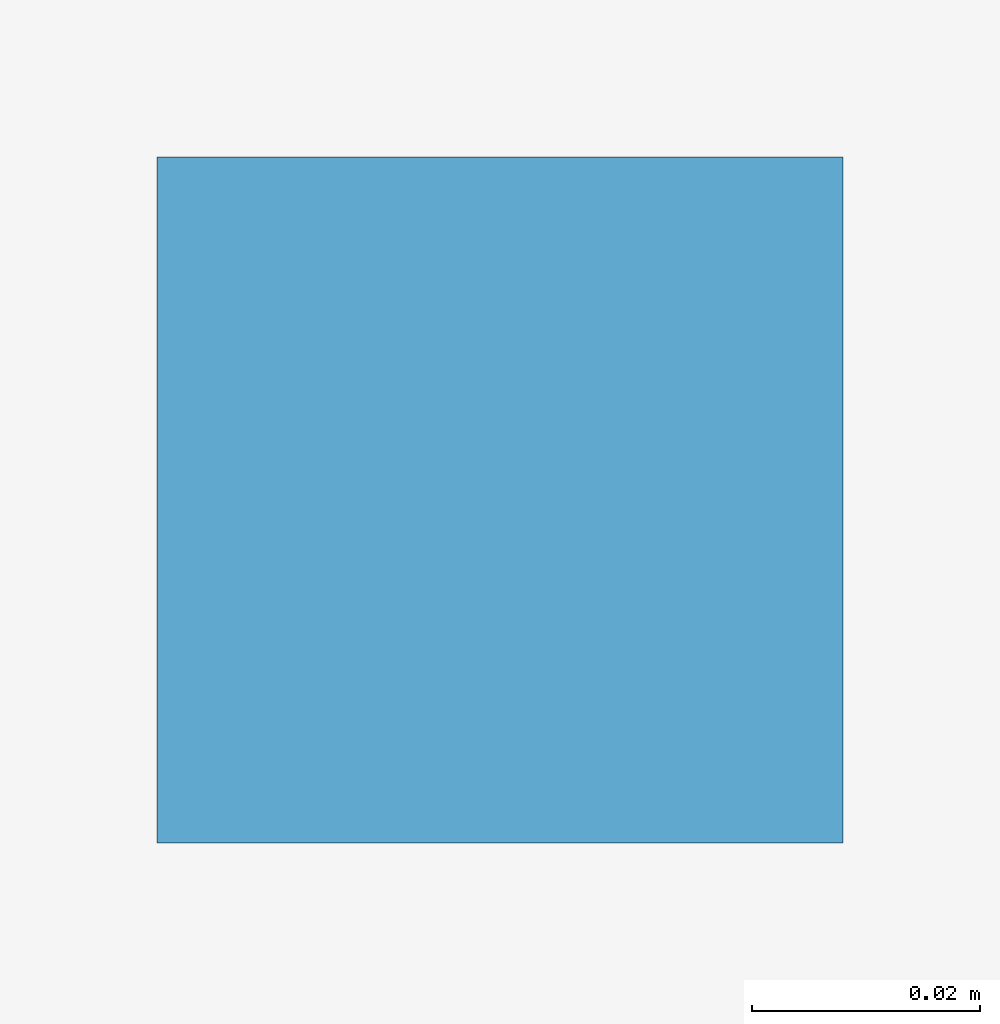
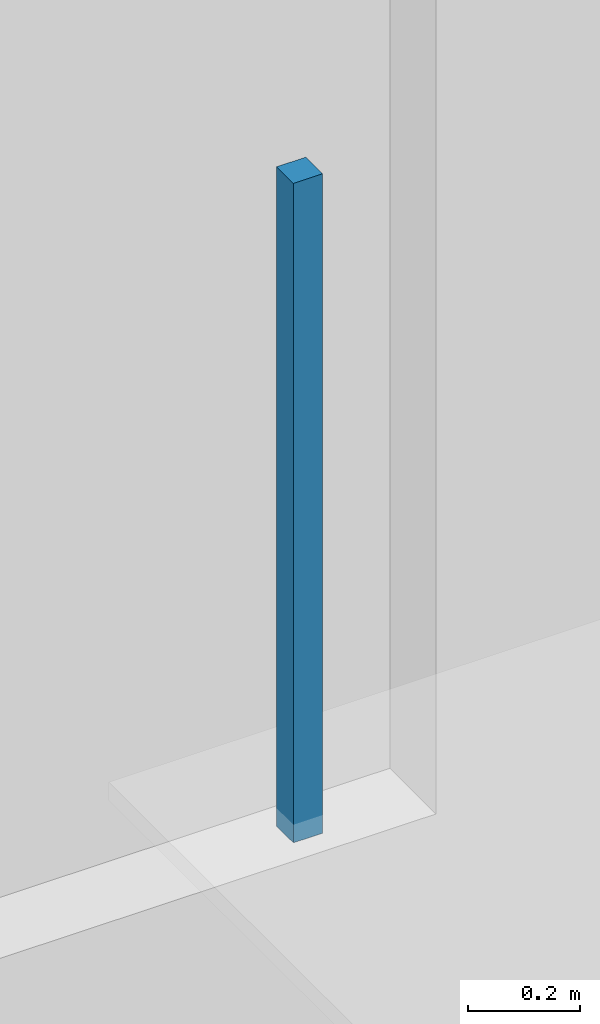
# One storey, part 97 of 122: 1 discrete accessory.
"""IFC4 building model written with IfcOpenShell, lengths in metres."""

import ifcopenshell
import ifcopenshell.guid

model = None  # the IFC model being written
_history = None  # IfcOwnerHistory: only IFC2X3 demands one
_inside = {}  # id of a spatial element -> (the spatial element, [elements in it])
_under = {}  # id of a project, library or spatial element -> (it, [spatial elements below it])
_declared = {}  # id of a project -> (the project, [libraries it declares])
_typed = {}  # id of a type object -> (the type object, [elements of that type])
_made_of = {}  # id of a material, layer set ... -> (it, [elements and type objects made of it])


def new_model(schema):
    """Start an empty IFC model of exactly this schema.

    Asked for "IFC4X3", IfcOpenShell would pick the latest addendum, in which some entities
    have other attributes; the version numbers below select the first issue.
    IFC2X3 requires an IfcOwnerHistory on every rooted entity: one is made here for all.
    """
    global model, _history
    if schema == "IFC4X3":
        model = ifcopenshell.file(schema_version=(4, 3, 0, 0))
    else:
        model = ifcopenshell.file(schema=schema)
    _inside.clear()
    _under.clear()
    _declared.clear()
    _typed.clear()
    _made_of.clear()
    _history = None
    if model.schema == "IFC2X3":
        org = make("IfcOrganization", Name="unknown")
        user = make(
            "IfcPersonAndOrganization",
            ThePerson=make("IfcPerson", FamilyName="unknown"),
            TheOrganization=org,
        )
        app = make(
            "IfcApplication",
            ApplicationDeveloper=org,
            Version="unknown",
            ApplicationFullName="unknown",
            ApplicationIdentifier="unknown",
        )
        _history = make(
            "IfcOwnerHistory",
            OwningUser=user,
            OwningApplication=app,
            ChangeAction="ADDED",
            CreationDate=0,
        )
    return model


def make(cls, **values):
    """One entity of the class cls with the attributes given. An attribute that is None is left unset."""
    return model.create_entity(
        cls, **{name: value for name, value in values.items() if value is not None}
    )


def rooted(cls, **values):
    """An entity with a GlobalId (a new one), such as an element, a storey or a relation."""
    return make(cls, GlobalId=ifcopenshell.guid.new(), OwnerHistory=_history, **values)


def si_unit(unit_type, name, prefix=None):
    """IfcSIUnit, for example si_unit("LENGTHUNIT", "METRE", prefix="MILLI")."""
    return make("IfcSIUnit", UnitType=unit_type, Prefix=prefix, Name=name)


def assignment(units):
    """IfcUnitAssignment: the units of a project."""
    return None if units is None else make("IfcUnitAssignment", Units=units)


def point(xyz):
    """IfcCartesianPoint."""
    return None if xyz is None else make("IfcCartesianPoint", Coordinates=xyz)


def direction(xyz):
    """IfcDirection."""
    return None if xyz is None else make("IfcDirection", DirectionRatios=xyz)


def frame(location, z_axis=None, x_axis=None):
    """IfcAxis2Placement3D, a coordinate frame: its origin and axes. An axis left out is left unset."""
    return make(
        "IfcAxis2Placement3D",
        Location=point(location),
        Axis=direction(z_axis),
        RefDirection=direction(x_axis),
    )


def frame_2d(location, x_axis=None):
    """IfcAxis2Placement2D, a coordinate frame in the plane: its origin and x axis."""
    return make(
        "IfcAxis2Placement2D", Location=point(location), RefDirection=direction(x_axis)
    )


def origin():
    """The frame at (0, 0, 0) with its axes left unset."""
    return frame((0.0, 0.0, 0.0))


def origin_2d():
    """The frame at (0, 0) in the plane with its x axis left unset."""
    return frame_2d((0.0, 0.0))


def place(relative_to, where):
    """IfcLocalPlacement: puts the frame where relative to a parent placement (None: the world)."""
    return make(
        "IfcLocalPlacement", PlacementRelTo=relative_to, RelativePlacement=where
    )


def context(
    kind, dimensions, precision=None, world=None, true_north=None, identifier=None
):
    """IfcGeometricRepresentationContext, for example the 3D "Model" context."""
    return make(
        "IfcGeometricRepresentationContext",
        ContextIdentifier=identifier,
        ContextType=kind,
        CoordinateSpaceDimension=dimensions,
        Precision=precision,
        WorldCoordinateSystem=world,
        TrueNorth=true_north,
    )


def subcontext(parent, identifier, kind, view, scale=None):
    """IfcGeometricRepresentationSubContext, for example "Body" below "Model"."""
    return make(
        "IfcGeometricRepresentationSubContext",
        ContextIdentifier=identifier,
        ContextType=kind,
        ParentContext=parent,
        TargetScale=scale,
        TargetView=view,
    )


def project(units=None, contexts=None):
    """IfcProject with its units and contexts."""
    return rooted(
        "IfcProject",
        Name="project",
        RepresentationContexts=contexts,
        UnitsInContext=assignment(units),
    )


def spatial(cls, under=None, at=None, **own):
    """A site, building, storey or space (cls), placed at a placement, below another one or the project."""
    s = rooted(cls, ObjectPlacement=at, **own)
    if under is not None:
        _under.setdefault(under.id(), (under, []))[1].append(s)
    return s


def profile(cls, at=None, kind="AREA", **sizes):
    """A parametric profile (cls). Its sizes go by their IFC names, for example OverallWidth=200.0."""
    return make(cls, ProfileType=kind, Position=at, **sizes)


def rectangle(**sizes):
    """IfcRectangleProfileDef."""
    return profile("IfcRectangleProfileDef", **sizes)


def extrude(swept, where, along, depth):
    """IfcExtrudedAreaSolid: the profile swept, set in the frame where, extruded along a direction by depth."""
    return make(
        "IfcExtrudedAreaSolid",
        SweptArea=swept,
        Position=where,
        ExtrudedDirection=direction(along),
        Depth=depth,
    )


def shape(context_of_items, identifier, shape_type, items):
    """IfcShapeRepresentation: the items that make up one representation, for example the "Body"."""
    return make(
        "IfcShapeRepresentation",
        ContextOfItems=context_of_items,
        RepresentationIdentifier=identifier,
        RepresentationType=shape_type,
        Items=items,
    )


def material(Name=None, Category=None):
    """IfcMaterial."""
    return make("IfcMaterial", Name=Name, Category=Category)


def made_of(thing, what):
    """Note that an element or type object is made of a material, layer set ...; save() writes the relation."""
    if what is not None:
        _made_of.setdefault(what.id(), (what, []))[1].append(thing)
    return thing


def type_object(cls, material=None, **own):
    """A type object (cls), such as IfcWallType, which elements share."""
    return made_of(rooted(cls, **own), material)


def element(
    cls,
    number,
    at=None,
    inside=None,
    cuts=None,
    type_object=None,
    material=None,
    context=None,
    identifier="Body",
    shape_type=None,
    held_by="IfcProductDefinitionShape",
    body=None,
    shapes=None,
    **own,
):
    """One element of the class cls, such as IfcWall. Its Tag is "e" and its number.

    at: its placement. inside: the storey or other place that contains it. cuts: it is an
    opening in that element (IfcRelVoidsElement). A single representation is given by context,
    identifier, shape_type and body (its items); several are given by shapes. held_by: the class
    of the entity that holds the representations. save() writes the other relations.
    """
    e = rooted(cls, Tag="e%d" % number, ObjectPlacement=at, **own)
    if body is not None:
        shapes = [shape(context, identifier, shape_type, body)]
    if shapes is not None:
        e.Representation = make(held_by, Representations=shapes)
    if inside is not None:
        _inside.setdefault(inside.id(), (inside, []))[1].append(e)
    if cuts is not None:
        rooted(
            "IfcRelVoidsElement", RelatingBuildingElement=cuts, RelatedOpeningElement=e
        )
    if type_object is not None:
        _typed.setdefault(type_object.id(), (type_object, []))[1].append(e)
    return made_of(e, material)


def aggregate(whole, parts):
    """IfcRelAggregates: a whole, such as a stair, and the parts it consists of."""
    return rooted("IfcRelAggregates", RelatingObject=whole, RelatedObjects=parts)


def save(model, path):
    """Write the relations noted so far, then the file.

    IfcRelAggregates (storeys below a building ...), IfcRelContainedInSpatialStructure (elements
    in a storey), IfcRelDefinesByType, IfcRelAssociatesMaterial and IfcRelDeclares: one each for
    every whole, place, type object, material and project.
    """
    for whole, parts in _under.values():
        aggregate(whole, parts)
    for where, things in _inside.values():
        rooted(
            "IfcRelContainedInSpatialStructure",
            RelatedElements=things,
            RelatingStructure=where,
        )
    for kind, things in _typed.values():
        rooted("IfcRelDefinesByType", RelatedObjects=things, RelatingType=kind)
    for what, things in _made_of.values():
        rooted("IfcRelAssociatesMaterial", RelatedObjects=things, RelatingMaterial=what)
    for by, libraries in _declared.values():
        rooted("IfcRelDeclares", RelatingContext=by, RelatedDefinitions=libraries)
    model.write(path)


model = new_model("IFC4")

# Units and contexts
model_context = context("Model", 3, precision=1e-05, world=origin(), true_north=direction((0.0, 1.0)))
body_context = subcontext(model_context, "Body", "Model", "MODEL_VIEW")
ifc_project = project(units=[si_unit("LENGTHUNIT", "METRE"), si_unit("AREAUNIT", "SQUARE_METRE"), si_unit("VOLUMEUNIT", "CUBIC_METRE"), si_unit("PLANEANGLEUNIT", "RADIAN"), si_unit("MASSUNIT", "GRAM", prefix="KILO")], contexts=[model_context])

# Site, building, storey
site_placement = place(None, origin())
site = spatial("IfcSite", under=ifc_project, at=site_placement, CompositionType="ELEMENT")
building_placement = place(site_placement, origin())
building = spatial("IfcBuilding", under=site, at=building_placement, Name="Sundkrona Museum", CompositionType="ELEMENT")
storey_placement = place(building_placement, frame((0.0, 0.0, 5.39990234375)))
storey = spatial("IfcBuildingStorey", under=building, at=storey_placement, Name="L01", CompositionType="ELEMENT", Elevation=5.39990234375)

# Discrete accessory
ifc_material = material(Name="Stainless Steel EN 1.4404 Cleat", Category="steel")
discrete_accessory_type = type_object("IfcDiscreteAccessoryType", Name="BRK-FIN-01", PredefinedType="BRACKET", material=ifc_material)
discrete_accessory_placement = place(storey_placement, frame((57.64990234375, 111.550048828125, 2.550048828125), z_axis=(0.0, 0.0, 1.0), x_axis=(1.0, 0.0, 0.0)))
element("IfcDiscreteAccessory", 1, at=discrete_accessory_placement, inside=storey, type_object=discrete_accessory_type, Name="L01 Graphic Arts Cabinet Ceiling Hanger 4", PredefinedType="BRACKET", context=body_context, shape_type="SweptSolid", body=[
    extrude(rectangle(XDim=0.06005859375, YDim=0.06005859375, at=origin_2d()), origin(), (0.0, 0.0, 1.0), 1.43994140625),
])

save(model, "model.ifc")
